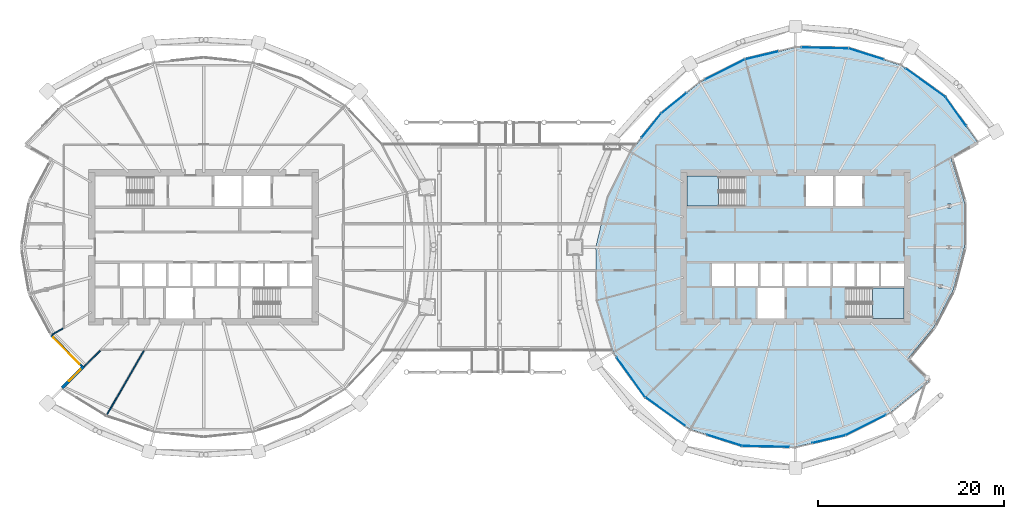
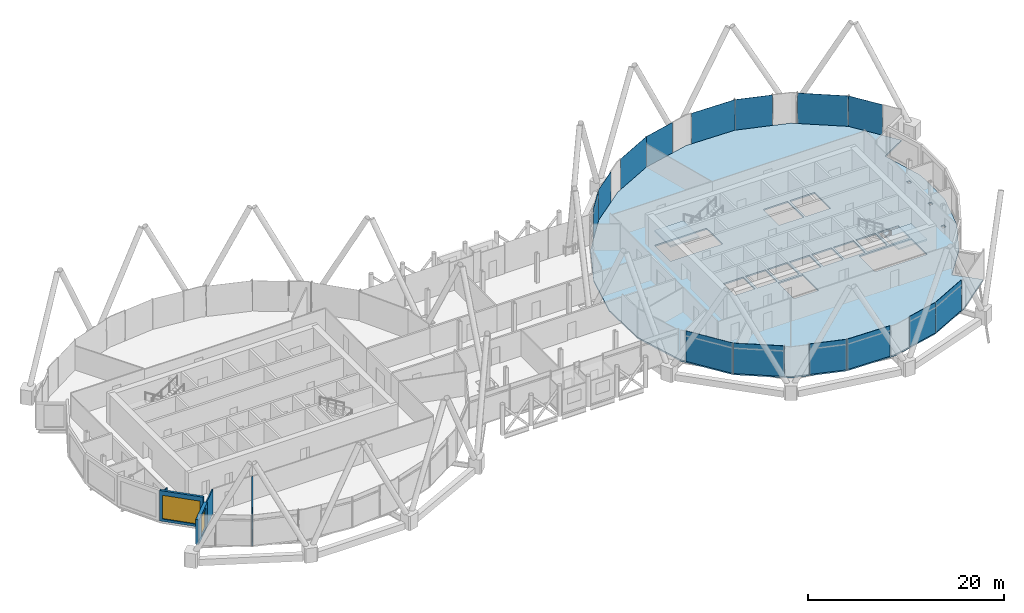
# One storey, part 23 of 35: 14 plates, 5 walls, 3 slabs, 2 windows, 2 openings, 3 elements without a shape of their own.
"""IFC4 building model written with IfcOpenShell, lengths in metres."""

import ifcopenshell
import ifcopenshell.guid

model = None  # the IFC model being written
_history = None  # IfcOwnerHistory: only IFC2X3 demands one
_inside = {}  # id of a spatial element -> (the spatial element, [elements in it])
_under = {}  # id of a project, library or spatial element -> (it, [spatial elements below it])
_declared = {}  # id of a project -> (the project, [libraries it declares])
_typed = {}  # id of a type object -> (the type object, [elements of that type])
_made_of = {}  # id of a material, layer set ... -> (it, [elements and type objects made of it])


def new_model(schema):
    """Start an empty IFC model of exactly this schema.

    Asked for "IFC4X3", IfcOpenShell would pick the latest addendum, in which some entities
    have other attributes; the version numbers below select the first issue.
    IFC2X3 requires an IfcOwnerHistory on every rooted entity: one is made here for all.
    """
    global model, _history
    if schema == "IFC4X3":
        model = ifcopenshell.file(schema_version=(4, 3, 0, 0))
    else:
        model = ifcopenshell.file(schema=schema)
    _inside.clear()
    _under.clear()
    _declared.clear()
    _typed.clear()
    _made_of.clear()
    _history = None
    if model.schema == "IFC2X3":
        org = make("IfcOrganization", Name="unknown")
        user = make(
            "IfcPersonAndOrganization",
            ThePerson=make("IfcPerson", FamilyName="unknown"),
            TheOrganization=org,
        )
        app = make(
            "IfcApplication",
            ApplicationDeveloper=org,
            Version="unknown",
            ApplicationFullName="unknown",
            ApplicationIdentifier="unknown",
        )
        _history = make(
            "IfcOwnerHistory",
            OwningUser=user,
            OwningApplication=app,
            ChangeAction="ADDED",
            CreationDate=0,
        )
    return model


def make(cls, **values):
    """One entity of the class cls with the attributes given. An attribute that is None is left unset."""
    return model.create_entity(
        cls, **{name: value for name, value in values.items() if value is not None}
    )


def rooted(cls, **values):
    """An entity with a GlobalId (a new one), such as an element, a storey or a relation."""
    return make(cls, GlobalId=ifcopenshell.guid.new(), OwnerHistory=_history, **values)


def si_unit(unit_type, name, prefix=None):
    """IfcSIUnit, for example si_unit("LENGTHUNIT", "METRE", prefix="MILLI")."""
    return make("IfcSIUnit", UnitType=unit_type, Prefix=prefix, Name=name)


def assignment(units):
    """IfcUnitAssignment: the units of a project."""
    return None if units is None else make("IfcUnitAssignment", Units=units)


def point(xyz):
    """IfcCartesianPoint."""
    return None if xyz is None else make("IfcCartesianPoint", Coordinates=xyz)


def direction(xyz):
    """IfcDirection."""
    return None if xyz is None else make("IfcDirection", DirectionRatios=xyz)


def frame(location, z_axis=None, x_axis=None):
    """IfcAxis2Placement3D, a coordinate frame: its origin and axes. An axis left out is left unset."""
    return make(
        "IfcAxis2Placement3D",
        Location=point(location),
        Axis=direction(z_axis),
        RefDirection=direction(x_axis),
    )


def frame_2d(location, x_axis=None):
    """IfcAxis2Placement2D, a coordinate frame in the plane: its origin and x axis."""
    return make(
        "IfcAxis2Placement2D", Location=point(location), RefDirection=direction(x_axis)
    )


def origin():
    """The frame at (0, 0, 0) with its axes left unset."""
    return frame((0.0, 0.0, 0.0))


def origin_2d():
    """The frame at (0, 0) in the plane with its x axis left unset."""
    return frame_2d((0.0, 0.0))


def place(relative_to, where):
    """IfcLocalPlacement: puts the frame where relative to a parent placement (None: the world)."""
    return make(
        "IfcLocalPlacement", PlacementRelTo=relative_to, RelativePlacement=where
    )


def context(
    kind, dimensions, precision=None, world=None, true_north=None, identifier=None
):
    """IfcGeometricRepresentationContext, for example the 3D "Model" context."""
    return make(
        "IfcGeometricRepresentationContext",
        ContextIdentifier=identifier,
        ContextType=kind,
        CoordinateSpaceDimension=dimensions,
        Precision=precision,
        WorldCoordinateSystem=world,
        TrueNorth=true_north,
    )


def subcontext(parent, identifier, kind, view, scale=None):
    """IfcGeometricRepresentationSubContext, for example "Body" below "Model"."""
    return make(
        "IfcGeometricRepresentationSubContext",
        ContextIdentifier=identifier,
        ContextType=kind,
        ParentContext=parent,
        TargetScale=scale,
        TargetView=view,
    )


def project(units=None, contexts=None):
    """IfcProject with its units and contexts."""
    return rooted(
        "IfcProject",
        Name="project",
        RepresentationContexts=contexts,
        UnitsInContext=assignment(units),
    )


def spatial(cls, under=None, at=None, **own):
    """A site, building, storey or space (cls), placed at a placement, below another one or the project."""
    s = rooted(cls, ObjectPlacement=at, **own)
    if under is not None:
        _under.setdefault(under.id(), (under, []))[1].append(s)
    return s


def polyline(points):
    """IfcPolyline through the points."""
    return make("IfcPolyline", Points=[point(p) for p in points])


def profile(cls, at=None, kind="AREA", **sizes):
    """A parametric profile (cls). Its sizes go by their IFC names, for example OverallWidth=200.0."""
    return make(cls, ProfileType=kind, Position=at, **sizes)


def rectangle(**sizes):
    """IfcRectangleProfileDef."""
    return profile("IfcRectangleProfileDef", **sizes)


def outline(outer, holes=None, kind="AREA"):
    """IfcArbitraryClosedProfileDef: a profile drawn as a closed curve; with holes, ...WithVoids."""
    if holes is None:
        return make("IfcArbitraryClosedProfileDef", ProfileType=kind, OuterCurve=outer)
    return make(
        "IfcArbitraryProfileDefWithVoids",
        ProfileType=kind,
        OuterCurve=outer,
        InnerCurves=holes,
    )


def extrude(swept, where, along, depth):
    """IfcExtrudedAreaSolid: the profile swept, set in the frame where, extruded along a direction by depth."""
    return make(
        "IfcExtrudedAreaSolid",
        SweptArea=swept,
        Position=where,
        ExtrudedDirection=direction(along),
        Depth=depth,
    )


def shape(context_of_items, identifier, shape_type, items):
    """IfcShapeRepresentation: the items that make up one representation, for example the "Body"."""
    return make(
        "IfcShapeRepresentation",
        ContextOfItems=context_of_items,
        RepresentationIdentifier=identifier,
        RepresentationType=shape_type,
        Items=items,
    )


def material(Name=None, Category=None):
    """IfcMaterial."""
    return make("IfcMaterial", Name=Name, Category=Category)


def layer(
    of_material, thickness, ventilated=None, Name=None, Category=None, Priority=None
):
    """IfcMaterialLayer: one layer of a wall or slab, of a material (None: an air gap)."""
    return make(
        "IfcMaterialLayer",
        Material=of_material,
        LayerThickness=thickness,
        IsVentilated=ventilated,
        Name=Name,
        Category=Category,
        Priority=Priority,
    )


def layer_set(layers, Name=None):
    """IfcMaterialLayerSet."""
    return make("IfcMaterialLayerSet", MaterialLayers=layers, LayerSetName=Name)


def made_of(thing, what):
    """Note that an element or type object is made of a material, layer set ...; save() writes the relation."""
    if what is not None:
        _made_of.setdefault(what.id(), (what, []))[1].append(thing)
    return thing


def type_object(cls, material=None, **own):
    """A type object (cls), such as IfcWallType, which elements share."""
    return made_of(rooted(cls, **own), material)


def element(
    cls,
    number,
    at=None,
    inside=None,
    cuts=None,
    type_object=None,
    material=None,
    context=None,
    identifier="Body",
    shape_type=None,
    held_by="IfcProductDefinitionShape",
    body=None,
    shapes=None,
    **own,
):
    """One element of the class cls, such as IfcWall. Its Tag is "e" and its number.

    at: its placement. inside: the storey or other place that contains it. cuts: it is an
    opening in that element (IfcRelVoidsElement). A single representation is given by context,
    identifier, shape_type and body (its items); several are given by shapes. held_by: the class
    of the entity that holds the representations. save() writes the other relations.
    """
    e = rooted(cls, Tag="e%d" % number, ObjectPlacement=at, **own)
    if body is not None:
        shapes = [shape(context, identifier, shape_type, body)]
    if shapes is not None:
        e.Representation = make(held_by, Representations=shapes)
    if inside is not None:
        _inside.setdefault(inside.id(), (inside, []))[1].append(e)
    if cuts is not None:
        rooted(
            "IfcRelVoidsElement", RelatingBuildingElement=cuts, RelatedOpeningElement=e
        )
    if type_object is not None:
        _typed.setdefault(type_object.id(), (type_object, []))[1].append(e)
    return made_of(e, material)


def fill(opening, filler):
    """IfcRelFillsElement: the door or window that sits in an opening."""
    return rooted(
        "IfcRelFillsElement",
        RelatingOpeningElement=opening,
        RelatedBuildingElement=filler,
    )


def aggregate(whole, parts):
    """IfcRelAggregates: a whole, such as a stair, and the parts it consists of."""
    return rooted("IfcRelAggregates", RelatingObject=whole, RelatedObjects=parts)


def save(model, path):
    """Write the relations noted so far, then the file.

    IfcRelAggregates (storeys below a building ...), IfcRelContainedInSpatialStructure (elements
    in a storey), IfcRelDefinesByType, IfcRelAssociatesMaterial and IfcRelDeclares: one each for
    every whole, place, type object, material and project.
    """
    for whole, parts in _under.values():
        aggregate(whole, parts)
    for where, things in _inside.values():
        rooted(
            "IfcRelContainedInSpatialStructure",
            RelatedElements=things,
            RelatingStructure=where,
        )
    for kind, things in _typed.values():
        rooted("IfcRelDefinesByType", RelatedObjects=things, RelatingType=kind)
    for what, things in _made_of.values():
        rooted("IfcRelAssociatesMaterial", RelatedObjects=things, RelatingMaterial=what)
    for by, libraries in _declared.values():
        rooted("IfcRelDeclares", RelatingContext=by, RelatedDefinitions=libraries)
    model.write(path)


model = new_model("IFC4")

# Units and contexts
model_context = context("Model", 3, precision=1e-05, world=origin(), true_north=direction((0.0, 1.0)))
body_context = subcontext(model_context, "Body", "Model", "MODEL_VIEW")
ifc_project = project(units=[si_unit("LENGTHUNIT", "METRE"), si_unit("AREAUNIT", "SQUARE_METRE"), si_unit("VOLUMEUNIT", "CUBIC_METRE"), si_unit("PLANEANGLEUNIT", "RADIAN"), si_unit("MASSUNIT", "GRAM", prefix="KILO")], contexts=[model_context])

# Site, building, storey
site_placement = place(None, origin())
site = spatial("IfcSite", under=ifc_project, at=site_placement, CompositionType="ELEMENT")
building_placement = place(site_placement, origin())
building = spatial("IfcBuilding", under=site, at=building_placement, Name="Rimbun Link Towers", CompositionType="ELEMENT")
storey_placement = place(building_placement, frame((0.0, 0.0, 146.800048828125)))
storey = spatial("IfcBuildingStorey", under=building, at=storey_placement, Name="L35", CompositionType="ELEMENT", Elevation=146.800048828125)

# Slab
ifc_material_1 = material(Name="Concrete C35/45", Category="concrete")
ifc_layer_1 = layer(ifc_material_1, 0.179931640625)
ifc_layer_set_1 = layer_set([ifc_layer_1], Name="COMPOSITE FLOOR 180")
slab_type_1 = type_object("IfcSlabType", Name="COMPOSITE FLOOR 180", PredefinedType="FLOOR", material=ifc_layer_set_1)
slab_1_placement = place(storey_placement, frame((0.0, 0.0, -0.179931640625)))
element("IfcSlab", 1, at=slab_1_placement, inside=storey, type_object=slab_type_1, Name="Floor slab T2 L35", PredefinedType="FLOOR", context=body_context, shape_type="SweptSolid", body=[
    extrude(outline(polyline([(41.9775390625, -17.714599609375), (37.146728515625, -20.140625), (31.75, -21.43115234375), (26.039794921875, -21.310791015625), (20.468994140625, -19.539306640625), (15.660888671875, -16.089111328125), (12.210693359375, -11.281005859375), (10.439208984375, -5.710205078125), (10.31884765625, 0.0), (11.609375, 5.396728515625), (14.035400390625, 10.2275390625), (17.384765625, 14.365234375), (21.5224609375, 17.714599609375), (26.353271484375, 20.140625), (31.75, 21.43115234375), (37.460205078125, 21.310791015625), (43.031005859375, 19.539306640625), (47.839111328125, 16.089111328125), (51.289306640625, 11.281005859375), (48.431396484375, 9.631103515625), (49.873291015625, 4.856201171875), (49.881103515625, 0.0), (48.702880859375, -4.54248046875), (46.606689453125, -8.577392578125), (43.78173828125, -12.03173828125), (46.115234375, -14.365234375), (41.9775390625, -17.714599609375)]), holes=[polyline([(30.60009765625, -7.64990234375), (30.60009765625, -4.39990234375), (27.699951171875, -4.39990234375), (27.699951171875, -7.64990234375), (30.60009765625, -7.64990234375)]), polyline([(25.138916015625, -4.14990234375), (25.138916015625, -1.75), (22.79443359375, -1.75), (22.79443359375, -4.14990234375), (25.138916015625, -4.14990234375)]), polyline([(27.7333984375, -4.14990234375), (27.7333984375, -1.75), (25.388916015625, -1.75), (25.388916015625, -4.14990234375), (27.7333984375, -4.14990234375)]), polyline([(30.327880859375, -4.14990234375), (30.327880859375, -1.75), (27.9833984375, -1.75), (27.9833984375, -4.14990234375), (30.327880859375, -4.14990234375)]), polyline([(32.922119140625, -4.14990234375), (32.922119140625, -1.75), (30.577880859375, -1.75), (30.577880859375, -4.14990234375), (32.922119140625, -4.14990234375)]), polyline([(35.5166015625, -4.14990234375), (35.5166015625, -1.75), (33.172119140625, -1.75), (33.172119140625, -4.14990234375), (35.5166015625, -4.14990234375)]), polyline([(26.239990234375, 4.39990234375), (26.239990234375, 7.64990234375), (20.10009765625, 7.64990234375), (20.10009765625, 4.39990234375), (26.239990234375, 4.39990234375)]), polyline([(35.800048828125, 4.39990234375), (35.800048828125, 7.64990234375), (32.89990234375, 7.64990234375), (32.89990234375, 4.39990234375), (35.800048828125, 4.39990234375)]), polyline([(43.39990234375, -7.64990234375), (43.39990234375, -4.39990234375), (37.260009765625, -4.39990234375), (37.260009765625, -7.64990234375), (43.39990234375, -7.64990234375)]), polyline([(47.5166015625, -4.367919921875), (47.5166015625, -3.974365234375), (47.11767578125, -3.974365234375), (47.11767578125, -4.367919921875), (47.5166015625, -4.367919921875)]), polyline([(38.111083984375, -4.14990234375), (38.111083984375, -1.75), (35.7666015625, -1.75), (35.7666015625, -4.14990234375), (38.111083984375, -4.14990234375)]), polyline([(40.70556640625, -4.14990234375), (40.70556640625, -1.75), (38.361083984375, -1.75), (38.361083984375, -4.14990234375), (40.70556640625, -4.14990234375)]), polyline([(43.39990234375, -4.14990234375), (43.39990234375, -1.75), (40.95556640625, -1.75), (40.95556640625, -4.14990234375), (43.39990234375, -4.14990234375)]), polyline([(48.435546875, -0.19677734375), (48.435546875, 0.19677734375), (48.03662109375, 0.19677734375), (48.03662109375, -0.19677734375), (48.435546875, -0.19677734375)]), polyline([(48.450927734375, 4.224609375), (48.450927734375, 4.618408203125), (48.052001953125, 4.618408203125), (48.052001953125, 4.224609375), (48.450927734375, 4.224609375)]), polyline([(38.949951171875, 4.39990234375), (38.949951171875, 7.64990234375), (36.050048828125, 7.64990234375), (36.050048828125, 4.39990234375), (38.949951171875, 4.39990234375)])]), origin(), (0.0, 0.0, 1.0), 0.179931640625),
])

# Curtain wall, plates
ifc_material_2 = material(Name="Aluminium 6063-T6 and low-iron glass", Category="aluminium")
curtain_wall_type = type_object("IfcCurtainWallType", Name="CW4 link block wall", PredefinedType="NOTDEFINED", material=ifc_material_2)
curtain_wall_placement = place(storey_placement, origin())
curtain_wall = element("IfcCurtainWall", 2, at=curtain_wall_placement, inside=storey, type_object=curtain_wall_type, Name="CW4 L35 T2", PredefinedType="NOTDEFINED")
ifc_material_3 = material(Name="Low-iron glass, laminated low-e unit", Category="glass")
ifc_layer_2 = layer(ifc_material_3, 0.028076171875)
ifc_layer_set_2 = layer_set([ifc_layer_2], Name="CW4 panel Low-iron glass 28")
plate_type = type_object("IfcPlateType", Name="CW4 panel Low-iron glass 28", PredefinedType="CURTAIN_PANEL", material=ifc_layer_set_2)
plate_1_placement = place(storey_placement, frame((45.707275390625, 17.635986328125, 0.0), z_axis=(0.0, 0.0, 1.0), x_axis=(0.81246534364, -0.58300948996, 0.0)))
plate_1 = element("IfcPlate", 3, at=plate_1_placement, type_object=plate_type, Name="CW4 panel", PredefinedType="CURTAIN_PANEL", context=body_context, shape_type="SweptSolid", body=[
    extrude(rectangle(XDim=5.22802734375, YDim=0.028076171875, at=origin_2d()), origin(), (0.0, 0.0, 1.0), 3.800048828125),
])
plate_2_placement = place(storey_placement, frame((39.344482421875, 20.726318359375, 0.0), z_axis=(0.0, 0.0, 1.0), x_axis=(0.952971600555, -0.303059612182, 0.0)))
plate_2 = element("IfcPlate", 4, at=plate_2_placement, type_object=plate_type, Name="CW4 panel", PredefinedType="CURTAIN_PANEL", context=body_context, shape_type="SweptSolid", body=[
    extrude(rectangle(XDim=3.90576171875, YDim=0.028076171875, at=origin_2d()), origin(), (0.0, 0.0, 1.0), 3.800048828125),
])
plate_3_placement = place(storey_placement, frame((34.930419921875, 21.378173828125, 0.0), z_axis=(0.0, 0.0, 1.0), x_axis=(0.999778152734, -0.021062889527, 0.0)))
plate_3 = element("IfcPlate", 5, at=plate_3_placement, type_object=plate_type, Name="CW4 panel", PredefinedType="CURTAIN_PANEL", context=body_context, shape_type="SweptSolid", body=[
    extrude(rectangle(XDim=5.021484375, YDim=0.028076171875, at=origin_2d()), origin(), (0.0, 0.0, 1.0), 3.800048828125),
])
plate_4_placement = place(storey_placement, frame((28.148681640625, 20.58447265625, 0.0), z_axis=(0.0, 0.0, 1.0), x_axis=(0.972575435448, 0.232587665973, 0.0)))
plate_4 = element("IfcPlate", 6, at=plate_4_placement, type_object=plate_type, Name="CW4 panel", PredefinedType="CURTAIN_PANEL", context=body_context, shape_type="SweptSolid", body=[
    extrude(rectangle(XDim=3.658935546875, YDim=0.028076171875, at=origin_2d()), origin(), (0.0, 0.0, 1.0), 3.800048828125),
])
plate_5_placement = place(storey_placement, frame((24.19970703125, 19.07470703125, 0.0), z_axis=(0.0, 0.0, 1.0), x_axis=(0.893641464981, 0.448781608432, 0.0)))
plate_5 = element("IfcPlate", 7, at=plate_5_placement, type_object=plate_type, Name="CW4 panel", PredefinedType="CURTAIN_PANEL", context=body_context, shape_type="SweptSolid", body=[
    extrude(rectangle(XDim=4.765869140625, YDim=0.028076171875, at=origin_2d()), origin(), (0.0, 0.0, 1.0), 3.800048828125),
])
plate_6_placement = place(storey_placement, frame((18.725830078125, 15.46875, 0.0), z_axis=(0.0, 0.0, 1.0), x_axis=(0.777276803841, 0.629158779809, 0.0)))
plate_6 = element("IfcPlate", 8, at=plate_6_placement, type_object=plate_type, Name="CW4 panel", PredefinedType="CURTAIN_PANEL", context=body_context, shape_type="SweptSolid", body=[
    extrude(rectangle(XDim=3.433349609375, YDim=0.028076171875, at=origin_2d()), origin(), (0.0, 0.0, 1.0), 3.800048828125),
])
plate_7_placement = place(storey_placement, frame((16.296875, 13.043701171875, 0.0), z_axis=(0.0, 0.0, 1.0), x_axis=(0.629158779809, 0.777276803841, 0.0)))
plate_7 = element("IfcPlate", 9, at=plate_7_placement, type_object=plate_type, Name="CW4 panel", PredefinedType="CURTAIN_PANEL", context=body_context, shape_type="SweptSolid", body=[
    extrude(rectangle(XDim=3.383544921875, YDim=0.028076171875, at=origin_2d()), origin(), (0.0, 0.0, 1.0), 3.800048828125),
])
plate_8_placement = place(storey_placement, frame((14.099365234375, -13.93701171875, 0.0), z_axis=(0.0, 0.0, 1.0), x_axis=(-0.58300948996, 0.81246534364, 0.0)))
plate_8 = element("IfcPlate", 10, at=plate_8_placement, type_object=plate_type, Name="CW4 panel", PredefinedType="CURTAIN_PANEL", context=body_context, shape_type="SweptSolid", body=[
    extrude(rectangle(XDim=5.27783203125, YDim=0.028076171875, at=origin_2d()), origin(), (0.0, 0.0, 1.0), 3.800048828125),
])
plate_9_placement = place(storey_placement, frame((17.792724609375, -17.635986328125, 0.0), z_axis=(0.0, 0.0, 1.0), x_axis=(-0.81246534364, 0.58300948996, 0.0)))
plate_9 = element("IfcPlate", 11, at=plate_9_placement, type_object=plate_type, Name="CW4 panel", PredefinedType="CURTAIN_PANEL", context=body_context, shape_type="SweptSolid", body=[
    extrude(rectangle(XDim=5.22802734375, YDim=0.028076171875, at=origin_2d()), origin(), (0.0, 0.0, 1.0), 3.800048828125),
])
plate_10_placement = place(storey_placement, frame((24.155517578125, -20.726318359375, 0.0), z_axis=(0.0, 0.0, 1.0), x_axis=(-0.952971600555, 0.303059612182, 0.0)))
plate_10 = element("IfcPlate", 12, at=plate_10_placement, type_object=plate_type, Name="CW4 panel", PredefinedType="CURTAIN_PANEL", context=body_context, shape_type="SweptSolid", body=[
    extrude(rectangle(XDim=3.90576171875, YDim=0.028076171875, at=origin_2d()), origin(), (0.0, 0.0, 1.0), 3.800048828125),
])
plate_11_placement = place(storey_placement, frame((28.569580078125, -21.378173828125, 0.0), z_axis=(0.0, 0.0, 1.0), x_axis=(-0.999778152734, 0.021062889527, 0.0)))
plate_11 = element("IfcPlate", 13, at=plate_11_placement, type_object=plate_type, Name="CW4 panel", PredefinedType="CURTAIN_PANEL", context=body_context, shape_type="SweptSolid", body=[
    extrude(rectangle(XDim=5.021484375, YDim=0.028076171875, at=origin_2d()), origin(), (0.0, 0.0, 1.0), 3.800048828125),
])
plate_12_placement = place(storey_placement, frame((35.351318359375, -20.58447265625, 0.0), z_axis=(0.0, 0.0, 1.0), x_axis=(-0.972575435448, -0.232587665973, 0.0)))
plate_12 = element("IfcPlate", 14, at=plate_12_placement, type_object=plate_type, Name="CW4 panel", PredefinedType="CURTAIN_PANEL", context=body_context, shape_type="SweptSolid", body=[
    extrude(rectangle(XDim=3.658935546875, YDim=0.028076171875, at=origin_2d()), origin(), (0.0, 0.0, 1.0), 3.800048828125),
])
plate_13_placement = place(storey_placement, frame((39.30029296875, -19.07470703125, 0.0), z_axis=(0.0, 0.0, 1.0), x_axis=(-0.893641464981, -0.448781608432, 0.0)))
plate_13 = element("IfcPlate", 15, at=plate_13_placement, type_object=plate_type, Name="CW4 panel", PredefinedType="CURTAIN_PANEL", context=body_context, shape_type="SweptSolid", body=[
    extrude(rectangle(XDim=4.765869140625, YDim=0.028076171875, at=origin_2d()), origin(), (0.0, 0.0, 1.0), 3.800048828125),
])
plate_14_placement = place(storey_placement, frame((48.96337890625, 14.54638671875, 0.0), z_axis=(0.0, 0.0, 1.0), x_axis=(0.58300948996, -0.81246534364, 0.0)))
plate_14 = element("IfcPlate", 16, at=plate_14_placement, type_object=plate_type, Name="CW4 panel", PredefinedType="CURTAIN_PANEL", context=body_context, shape_type="SweptSolid", body=[
    extrude(rectangle(XDim=3.77783203125, YDim=0.028076171875, at=origin_2d()), origin(), (0.0, 0.0, 1.0), 3.800048828125),
])
aggregate(curtain_wall, [plate_1, plate_2, plate_3, plate_4, plate_5, plate_6, plate_7, plate_8, plate_9, plate_10, plate_11, plate_12, plate_13, plate_14])

# Stair, slab
ifc_material_4 = material(Name="Concrete C40/50", Category="concrete")
stair_type = type_object("IfcStairType", Name="Exit stair 3800 rise", PredefinedType="HALF_TURN_STAIR", material=ifc_material_4)
stair_1_placement = place(storey_placement, origin())
stair_1 = element("IfcStair", 17, at=stair_1_placement, inside=storey, type_object=stair_type, Name="L35 EXIT STAIR A", PredefinedType="HALF_TURN_STAIR")
ifc_material_5 = material(Name="Concrete C40/50", Category="concrete")
ifc_layer_3 = layer(ifc_material_5, 0.199951171875)
ifc_layer_set_3 = layer_set([ifc_layer_3], Name="Stair landing")
slab_type_2 = type_object("IfcSlabType", Name="Stair landing", PredefinedType="LANDING", material=ifc_layer_set_3)
slab_2_placement = place(storey_placement, frame((0.0, 0.0, 1.699951171875)))
slab_2 = element("IfcSlab", 18, at=slab_2_placement, type_object=slab_type_2, Name="ST3 landing 1", PredefinedType="LANDING", context=body_context, shape_type="SweptSolid", body=[
    extrude(outline(polyline([(23.5, 7.64990234375), (20.10009765625, 7.64990234375), (20.10009765625, 4.39990234375), (23.5, 4.39990234375), (23.5, 7.64990234375)])), origin(), (0.0, 0.0, 1.0), 0.199951171875),
])
aggregate(stair_1, [slab_2])

stair_2_placement = place(storey_placement, origin())
stair_2 = element("IfcStair", 19, at=stair_2_placement, inside=storey, type_object=stair_type, Name="L35 EXIT STAIR B", PredefinedType="HALF_TURN_STAIR")
slab_3_placement = place(storey_placement, frame((0.0, 0.0, 1.699951171875)))
slab_3 = element("IfcSlab", 20, at=slab_3_placement, type_object=slab_type_2, Name="ST4 landing 1", PredefinedType="LANDING", context=body_context, shape_type="SweptSolid", body=[
    extrude(outline(polyline([(40.0, -7.64990234375), (43.39990234375, -7.64990234375), (43.39990234375, -4.39990234375), (40.0, -4.39990234375), (40.0, -7.64990234375)])), origin(), (0.0, 0.0, 1.0), 0.199951171875),
])
aggregate(stair_2, [slab_3])

# Wall, opening, window
ifc_material_6 = material(Name="Dark enamelled glass spandrel on insulated aluminium backpan", Category="aluminium")
ifc_layer_4 = layer(ifc_material_6, 0.25)
ifc_layer_set_4 = layer_set([ifc_layer_4], Name="CS dark enamelled spandrel wall 250")
wall_type_1 = type_object("IfcWallType", Name="CS dark enamelled spandrel wall 250", PredefinedType="STANDARD", material=ifc_layer_set_4)
wall_1_placement = place(storey_placement, frame((-44.835693359375, -12.73193359375, 0.0), z_axis=(0.0, 0.0, 1.0), x_axis=(-0.705970868874, 0.708240871668, 0.0)))
wall_1 = element("IfcWall", 21, at=wall_1_placement, inside=storey, type_object=wall_type_1, Name="Crease spandrel wall", PredefinedType="STANDARD", context=body_context, shape_type="SweptSolid", body=[
    extrude(rectangle(XDim=4.624755859375, YDim=0.25, at=frame_2d((2.3125, 0.0))), origin(), (0.0, 0.0, 1.0), 3.800048828125),
])
opening_1_placement = place(wall_1_placement, frame((0.3125, 0.0, 0.300048828125)))
opening_1 = element("IfcOpeningElement", 22, at=opening_1_placement, cuts=wall_1, Name="Opening WR40H295", PredefinedType="OPENING", context=body_context, shape_type="SweptSolid", body=[
    extrude(rectangle(XDim=4.0, YDim=2.949951171875, at=frame_2d((2.0, 1.47509765625))), frame((0.0, 0.135009765625, 0.0), z_axis=(0.0, -1.0, 0.0), x_axis=(1.0, 0.0, 0.0)), (0.0, 0.0, 1.0), 0.27001953125),
])
ifc_material_7 = material(Name="Aluminium framed fixed window, dark tinted low-e glass", Category="aluminium")
window_type_1 = type_object("IfcWindowType", Name="WR ribbon window 4000X2950", PartitioningType="SINGLE_PANEL", PredefinedType="WINDOW", material=ifc_material_7)
window_1_placement = place(opening_1_placement, origin())
window_1 = element("IfcWindow", 23, at=window_1_placement, inside=storey, type_object=window_type_1, Name="Crease ribbon window", OverallHeight=2.949951171875, OverallWidth=4.0, PartitioningType="SINGLE_PANEL", PredefinedType="WINDOW", context=body_context, shape_type="SweptSolid", body=[
    extrude(rectangle(XDim=4.0, YDim=2.949951171875, at=frame_2d((2.0, 1.47509765625))), frame((0.0, 0.030029296875, 0.0), z_axis=(0.0, -1.0, 0.0), x_axis=(1.0, 0.0, 0.0)), (0.0, 0.0, 1.0), 0.06005859375),
])
fill(opening_1, window_1)

ifc_material_8 = material(Name="Dark enamelled glass spandrel on insulated aluminium backpan", Category="aluminium")
ifc_layer_5 = layer(ifc_material_8, 0.3701171875)
ifc_layer_set_5 = layer_set([ifc_layer_5], Name="CS dark enamelled spandrel wall 370")
wall_type_2 = type_object("IfcWallType", Name="CS dark enamelled spandrel wall 370", PredefinedType="STANDARD", material=ifc_layer_set_5)
wall_2_placement = place(storey_placement, frame((-46.93603515625, -15.093994140625, 0.0), z_axis=(0.0, 0.0, 1.0), x_axis=(0.707106781187, 0.707106781187, 0.0)))
wall_2 = element("IfcWall", 24, at=wall_2_placement, inside=storey, type_object=wall_type_2, Name="Crease spandrel wall", PredefinedType="STANDARD", context=body_context, shape_type="SweptSolid", body=[
    extrude(rectangle(XDim=3.280029296875, YDim=0.3701171875, at=frame_2d((1.64013671875, 0.0))), origin(), (0.0, 0.0, 1.0), 3.076904296875),
])
opening_2_placement = place(wall_2_placement, frame((1.046142578125, 0.0, 0.300048828125)))
opening_2 = element("IfcOpeningElement", 25, at=opening_2_placement, cuts=wall_2, Name="Opening WR18H245", PredefinedType="OPENING", context=body_context, shape_type="SweptSolid", body=[
    extrude(rectangle(XDim=1.75, YDim=2.449951171875, at=frame_2d((0.875, 1.22509765625))), frame((0.0, 0.195068359375, 0.0), z_axis=(0.0, -1.0, 0.0), x_axis=(1.0, 0.0, 0.0)), (0.0, 0.0, 1.0), 0.39013671875),
])
ifc_material_9 = material(Name="Aluminium framed fixed window, dark tinted low-e glass", Category="aluminium")
window_type_2 = type_object("IfcWindowType", Name="WR ribbon window 1750X2450", PartitioningType="SINGLE_PANEL", PredefinedType="WINDOW", material=ifc_material_9)
window_2_placement = place(opening_2_placement, origin())
window_2 = element("IfcWindow", 26, at=window_2_placement, inside=storey, type_object=window_type_2, Name="Crease ribbon window", OverallHeight=2.449951171875, OverallWidth=1.75, PartitioningType="SINGLE_PANEL", PredefinedType="WINDOW", context=body_context, shape_type="SweptSolid", body=[
    extrude(rectangle(XDim=1.75, YDim=2.449951171875, at=frame_2d((0.875, 1.22509765625))), frame((0.0, 0.030029296875, 0.0), z_axis=(0.0, -1.0, 0.0), x_axis=(1.0, 0.0, 0.0)), (0.0, 0.0, 1.0), 0.06005859375),
])
fill(opening_2, window_2)

# Walls
ifc_material_10 = material(Name="Gypsum board on steel studs", Category="steel")
ifc_layer_6 = layer(ifc_material_10, 0.125)
ifc_layer_set_6 = layer_set([ifc_layer_6], Name="Partition 125 board on studs")
wall_type_3 = type_object("IfcWallType", Name="Partition 125 board on studs", PredefinedType="PARTITIONING", material=ifc_layer_set_6)
wall_3_placement = place(storey_placement, frame((-46.84375, -8.71435546875, 0.0), z_axis=(0.0, 0.0, 1.0), x_axis=(-0.866027105532, -0.499997052475, 0.0)))
element("IfcWall", 27, at=wall_3_placement, inside=storey, type_object=wall_type_3, Name="TW/PW/L35/008", PredefinedType="PARTITIONING", context=body_context, shape_type="SweptSolid", body=[
    extrude(rectangle(XDim=1.333984375, YDim=0.125, at=frame_2d((0.6669921875, 0.0))), origin(), (0.0, 0.0, 1.0), 3.19384765625),
])
wall_4_placement = place(storey_placement, frame((-44.584716796875, -12.834716796875, 0.0), z_axis=(0.0, 0.0, 1.0), x_axis=(0.707106781187, 0.707106781187, 0.0)))
element("IfcWall", 28, at=wall_4_placement, inside=storey, type_object=wall_type_3, Name="TW/PW/L35/010", PredefinedType="PARTITIONING", context=body_context, shape_type="SweptSolid", body=[
    extrude(rectangle(XDim=2.44384765625, YDim=0.125, at=frame_2d((1.221923828125, 0.0))), origin(), (0.0, 0.0, 1.0), 3.06689453125),
])
wall_5_placement = place(storey_placement, frame((-42.215576171875, -18.126708984375, 0.0), z_axis=(0.0, 0.0, 1.0), x_axis=(0.500006105659, 0.866021878652, 0.0)))
element("IfcWall", 29, at=wall_5_placement, inside=storey, type_object=wall_type_3, Name="TW/PW/L35/025", PredefinedType="PARTITIONING", context=body_context, shape_type="SweptSolid", body=[
    extrude(rectangle(XDim=8.12109375, YDim=0.125, at=frame_2d((4.060546875, 0.0))), origin(), (0.0, 0.0, 1.0), 2.9970703125),
])

save(model, "model.ifc")
